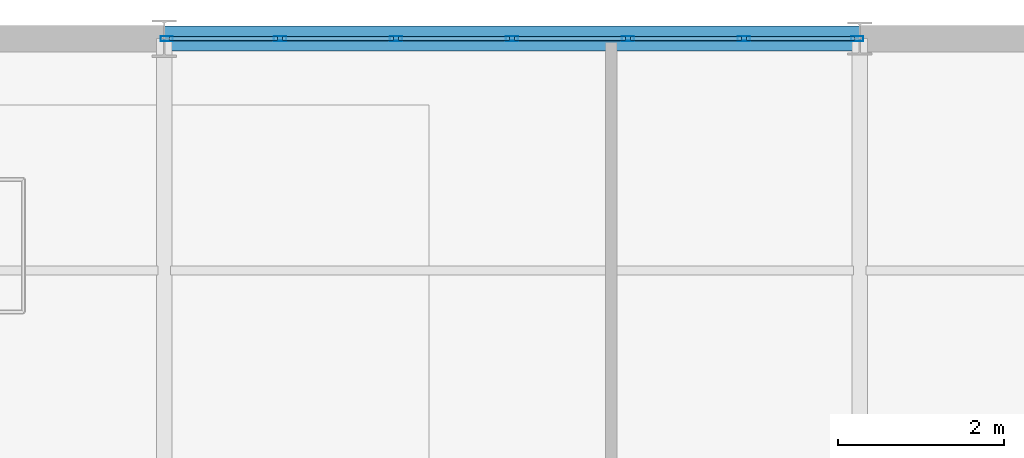
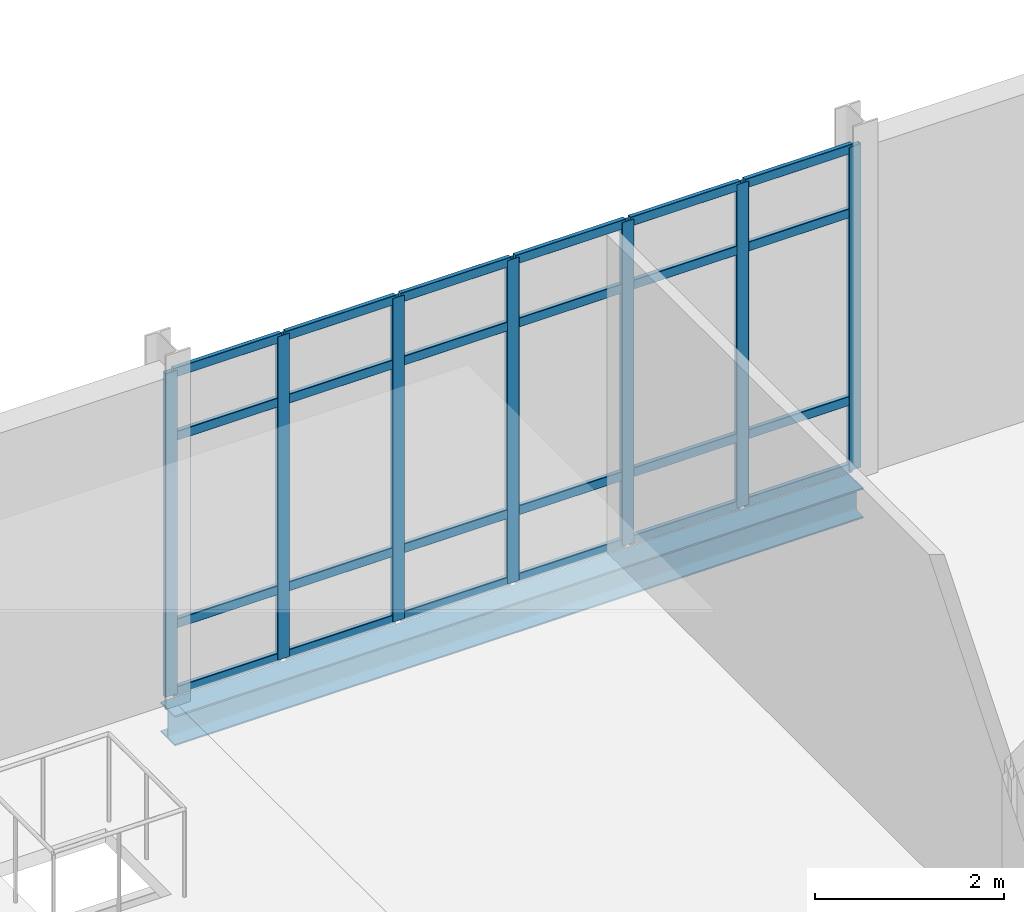
# One storey, part 18 of 28: 31 members, 1 beam, 1 element without a shape of its own.
"""IFC4 building model written with IfcOpenShell, lengths in metres."""

from ifc_helpers import new_model, si_unit, direction, frame, origin, origin_2d, place, context, subcontext, project, spatial, hollow_rectangle, i_section, extrude, material, layer, layer_set, material_profile, profile_set, type_object, element, aggregate, save


model = new_model("IFC4")

# Units and contexts
model_context = context("Model", 3, precision=1e-05, world=origin(), true_north=direction((0.0, 1.0)))
body_context = subcontext(model_context, "Body", "Model", "MODEL_VIEW")
ifc_project = project(units=[si_unit("LENGTHUNIT", "METRE"), si_unit("AREAUNIT", "SQUARE_METRE"), si_unit("VOLUMEUNIT", "CUBIC_METRE"), si_unit("PLANEANGLEUNIT", "RADIAN"), si_unit("MASSUNIT", "GRAM", prefix="KILO")], contexts=[model_context])

# Site, building, storey
site_placement = place(None, origin())
site = spatial("IfcSite", under=ifc_project, at=site_placement, CompositionType="ELEMENT")
building_placement = place(site_placement, origin())
building = spatial("IfcBuilding", under=site, at=building_placement, Name="Qalvenar Corner Mobility Hub", CompositionType="ELEMENT")
storey_placement = place(building_placement, frame((0.0, 0.0, 21.60009765625)))
storey = spatial("IfcBuildingStorey", under=building, at=storey_placement, Name="L05", CompositionType="ELEMENT", Elevation=21.60009765625)

# Beam
ifc_material_1 = material(Name="Steel S355", Category="steel")
ifc_material_profile_1 = material_profile(ifc_material_1, i_section(OverallWidth=0.300048828125, OverallDepth=0.389892578125, WebThickness=0.010986328125, FlangeThickness=0.01904296875, FilletRadius=0.027099609375, at=origin_2d()), Name="HEA400")
ifc_profile_set_1 = profile_set([ifc_material_profile_1], Name="Steel S355")
beam_type = type_object("IfcBeamType", Name="BM-SPN400", PredefinedType="SPANDREL", material=ifc_profile_set_1)
beam_placement = place(storey_placement, frame((16.800048828125, 42.0, -0.375), z_axis=(1.0, 0.0, 0.0), x_axis=(0.0, 1.0, 0.0)))
element("IfcBeam", 1, at=beam_placement, inside=storey, type_object=beam_type, Name="Primary Steel Girder GX-2972", PredefinedType="SPANDREL", context=body_context, shape_type="SweptSolid", body=[
    extrude(i_section(OverallWidth=0.300048828125, OverallDepth=0.389892578125, WebThickness=0.010986328125, FlangeThickness=0.01904296875, FilletRadius=0.027099609375, at=origin_2d()), origin(), (0.0, 0.0, 1.0), 8.39990234375),
])

# Curtain wall, members
ifc_material_2 = material(Name="Anodised Aluminium and Low-E Glazing", Category="aluminium")
ifc_layer = layer(ifc_material_2, 0.14990234375)
ifc_layer_set = layer_set([ifc_layer], Name="Anodised Aluminium and Low-E Glazing")
curtain_wall_type = type_object("IfcCurtainWallType", Name="CW-CIV-84X40", PredefinedType="NOTDEFINED", material=ifc_layer_set)
curtain_wall_placement = place(storey_placement, origin())
curtain_wall = element("IfcCurtainWall", 2, at=curtain_wall_placement, inside=storey, type_object=curtain_wall_type, Name="Glazed Curtain Wall CW-V3-L05-N2", PredefinedType="NOTDEFINED")
ifc_material_3 = material(Name="Anodised Aluminium 6063-T6", Category="aluminium")
ifc_material_profile_2 = material_profile(ifc_material_3, hollow_rectangle(XDim=0.06005859375, YDim=0.14990234375, WallThickness=0.00390625, InnerFilletRadius=0.00390625, OuterFilletRadius=0.008056640625, at=origin_2d()), Name="RHS150x60x4")
ifc_profile_set_2 = profile_set([ifc_material_profile_2], Name="Anodised Aluminium 6063-T6")
member_type_1 = type_object("IfcMemberType", Name="CW-MUL150", PredefinedType="MULLION", material=ifc_profile_set_2)
member_1_placement = place(storey_placement, frame((25.169921875, 42.0, 0.0), z_axis=(0.0, 0.0, 1.0), x_axis=(0.0, -1.0, 0.0)))
member_1 = element("IfcMember", 3, at=member_1_placement, type_object=member_type_1, Name="CW-05 mullion 1", PredefinedType="MULLION", context=body_context, shape_type="SweptSolid", body=[
    extrude(hollow_rectangle(XDim=0.06005859375, YDim=0.14990234375, WallThickness=0.00390625, InnerFilletRadius=0.00390625, OuterFilletRadius=0.008056640625, at=origin_2d()), origin(), (0.0, 0.0, 1.0), 4.169921875),
])
member_2_placement = place(storey_placement, frame((23.800048828125, 42.0, 0.0), z_axis=(0.0, 0.0, 1.0), x_axis=(0.0, -1.0, 0.0)))
member_2 = element("IfcMember", 4, at=member_2_placement, type_object=member_type_1, Name="CW-05 mullion 2", PredefinedType="MULLION", context=body_context, shape_type="SweptSolid", body=[
    extrude(hollow_rectangle(XDim=0.06005859375, YDim=0.14990234375, WallThickness=0.00390625, InnerFilletRadius=0.00390625, OuterFilletRadius=0.008056640625, at=origin_2d()), origin(), (0.0, 0.0, 1.0), 4.169921875),
])
member_3_placement = place(storey_placement, frame((22.39990234375, 42.0, 0.0), z_axis=(0.0, 0.0, 1.0), x_axis=(0.0, -1.0, 0.0)))
member_3 = element("IfcMember", 5, at=member_3_placement, type_object=member_type_1, Name="CW-05 mullion 3", PredefinedType="MULLION", context=body_context, shape_type="SweptSolid", body=[
    extrude(hollow_rectangle(XDim=0.06005859375, YDim=0.14990234375, WallThickness=0.00390625, InnerFilletRadius=0.00390625, OuterFilletRadius=0.008056640625, at=origin_2d()), origin(), (0.0, 0.0, 1.0), 4.169921875),
])
member_4_placement = place(storey_placement, frame((21.0, 42.0, 0.0), z_axis=(0.0, 0.0, 1.0), x_axis=(0.0, -1.0, 0.0)))
member_4 = element("IfcMember", 6, at=member_4_placement, type_object=member_type_1, Name="CW-05 mullion 4", PredefinedType="MULLION", context=body_context, shape_type="SweptSolid", body=[
    extrude(hollow_rectangle(XDim=0.06005859375, YDim=0.14990234375, WallThickness=0.00390625, InnerFilletRadius=0.00390625, OuterFilletRadius=0.008056640625, at=origin_2d()), origin(), (0.0, 0.0, 1.0), 4.169921875),
])
member_5_placement = place(storey_placement, frame((19.60009765625, 42.0, 0.0), z_axis=(0.0, 0.0, 1.0), x_axis=(0.0, -1.0, 0.0)))
member_5 = element("IfcMember", 7, at=member_5_placement, type_object=member_type_1, Name="CW-05 mullion 5", PredefinedType="MULLION", context=body_context, shape_type="SweptSolid", body=[
    extrude(hollow_rectangle(XDim=0.06005859375, YDim=0.14990234375, WallThickness=0.00390625, InnerFilletRadius=0.00390625, OuterFilletRadius=0.008056640625, at=origin_2d()), origin(), (0.0, 0.0, 1.0), 4.169921875),
])
member_6_placement = place(storey_placement, frame((18.199951171875, 42.0, 0.0), z_axis=(0.0, 0.0, 1.0), x_axis=(0.0, -1.0, 0.0)))
member_6 = element("IfcMember", 8, at=member_6_placement, type_object=member_type_1, Name="CW-05 mullion 6", PredefinedType="MULLION", context=body_context, shape_type="SweptSolid", body=[
    extrude(hollow_rectangle(XDim=0.06005859375, YDim=0.14990234375, WallThickness=0.00390625, InnerFilletRadius=0.00390625, OuterFilletRadius=0.008056640625, at=origin_2d()), origin(), (0.0, 0.0, 1.0), 4.169921875),
])
member_7_placement = place(storey_placement, frame((16.830078125, 42.0, 0.0), z_axis=(0.0, 0.0, 1.0), x_axis=(0.0, -1.0, 0.0)))
member_7 = element("IfcMember", 9, at=member_7_placement, type_object=member_type_1, Name="CW-05 mullion 7", PredefinedType="MULLION", context=body_context, shape_type="SweptSolid", body=[
    extrude(hollow_rectangle(XDim=0.06005859375, YDim=0.14990234375, WallThickness=0.00390625, InnerFilletRadius=0.00390625, OuterFilletRadius=0.008056640625, at=origin_2d()), origin(), (0.0, 0.0, 1.0), 4.169921875),
])
ifc_material_profile_3 = material_profile(ifc_material_3, hollow_rectangle(XDim=0.054931640625, YDim=0.1201171875, WallThickness=0.00341796875, InnerFilletRadius=0.00341796875, OuterFilletRadius=0.007080078125, at=origin_2d()), Name="RHS120x55x3.5")
ifc_profile_set_3 = profile_set([ifc_material_profile_3], Name="Anodised Aluminium 6063-T6")
member_type_2 = type_object("IfcMemberType", Name="CW-TRN120", PredefinedType="USERDEFINED", material=ifc_profile_set_3)
member_8_placement = place(storey_placement, frame((25.139892578125, 42.0, 0.02734375), z_axis=(-1.0, 0.0, 0.0), x_axis=(0.0, -1.0, 0.0)))
member_8 = element("IfcMember", 10, at=member_8_placement, type_object=member_type_2, Name="CW-05 transom 1.1", ObjectType="TRANSOM", PredefinedType="USERDEFINED", context=body_context, shape_type="SweptSolid", body=[
    extrude(hollow_rectangle(XDim=0.054931640625, YDim=0.1201171875, WallThickness=0.00341796875, InnerFilletRadius=0.00341796875, OuterFilletRadius=0.007080078125, at=origin_2d()), origin(), (0.0, 0.0, 1.0), 1.309814453125),
])
member_9_placement = place(storey_placement, frame((25.139892578125, 42.0, 0.89990234375), z_axis=(-1.0, 0.0, 0.0), x_axis=(0.0, -1.0, 0.0)))
member_9 = element("IfcMember", 11, at=member_9_placement, type_object=member_type_2, Name="CW-05 transom 1.2", ObjectType="TRANSOM", PredefinedType="USERDEFINED", context=body_context, shape_type="SweptSolid", body=[
    extrude(hollow_rectangle(XDim=0.054931640625, YDim=0.1201171875, WallThickness=0.00341796875, InnerFilletRadius=0.00341796875, OuterFilletRadius=0.007080078125, at=origin_2d()), origin(), (0.0, 0.0, 1.0), 1.309814453125),
])
member_10_placement = place(storey_placement, frame((25.139892578125, 42.0, 3.31982421875), z_axis=(-1.0, 0.0, 0.0), x_axis=(0.0, -1.0, 0.0)))
member_10 = element("IfcMember", 12, at=member_10_placement, type_object=member_type_2, Name="CW-05 transom 1.3", ObjectType="TRANSOM", PredefinedType="USERDEFINED", context=body_context, shape_type="SweptSolid", body=[
    extrude(hollow_rectangle(XDim=0.054931640625, YDim=0.1201171875, WallThickness=0.00341796875, InnerFilletRadius=0.00341796875, OuterFilletRadius=0.007080078125, at=origin_2d()), origin(), (0.0, 0.0, 1.0), 1.309814453125),
])
member_11_placement = place(storey_placement, frame((25.139892578125, 42.0, 4.142333984375), z_axis=(-1.0, 0.0, 0.0), x_axis=(0.0, -1.0, 0.0)))
member_11 = element("IfcMember", 13, at=member_11_placement, type_object=member_type_2, Name="CW-05 transom 1.4", ObjectType="TRANSOM", PredefinedType="USERDEFINED", context=body_context, shape_type="SweptSolid", body=[
    extrude(hollow_rectangle(XDim=0.054931640625, YDim=0.1201171875, WallThickness=0.00341796875, InnerFilletRadius=0.00341796875, OuterFilletRadius=0.007080078125, at=origin_2d()), origin(), (0.0, 0.0, 1.0), 1.309814453125),
])
member_12_placement = place(storey_placement, frame((23.77001953125, 42.0, 0.02734375), z_axis=(-1.0, 0.0, 0.0), x_axis=(0.0, -1.0, 0.0)))
member_12 = element("IfcMember", 14, at=member_12_placement, type_object=member_type_2, Name="CW-05 transom 2.1", ObjectType="TRANSOM", PredefinedType="USERDEFINED", context=body_context, shape_type="SweptSolid", body=[
    extrude(hollow_rectangle(XDim=0.054931640625, YDim=0.1201171875, WallThickness=0.00341796875, InnerFilletRadius=0.00341796875, OuterFilletRadius=0.007080078125, at=origin_2d()), origin(), (0.0, 0.0, 1.0), 1.340087890625),
])
member_13_placement = place(storey_placement, frame((23.77001953125, 42.0, 0.89990234375), z_axis=(-1.0, 0.0, 0.0), x_axis=(0.0, -1.0, 0.0)))
member_13 = element("IfcMember", 15, at=member_13_placement, type_object=member_type_2, Name="CW-05 transom 2.2", ObjectType="TRANSOM", PredefinedType="USERDEFINED", context=body_context, shape_type="SweptSolid", body=[
    extrude(hollow_rectangle(XDim=0.054931640625, YDim=0.1201171875, WallThickness=0.00341796875, InnerFilletRadius=0.00341796875, OuterFilletRadius=0.007080078125, at=origin_2d()), origin(), (0.0, 0.0, 1.0), 1.340087890625),
])
member_14_placement = place(storey_placement, frame((23.77001953125, 42.0, 3.31982421875), z_axis=(-1.0, 0.0, 0.0), x_axis=(0.0, -1.0, 0.0)))
member_14 = element("IfcMember", 16, at=member_14_placement, type_object=member_type_2, Name="CW-05 transom 2.3", ObjectType="TRANSOM", PredefinedType="USERDEFINED", context=body_context, shape_type="SweptSolid", body=[
    extrude(hollow_rectangle(XDim=0.054931640625, YDim=0.1201171875, WallThickness=0.00341796875, InnerFilletRadius=0.00341796875, OuterFilletRadius=0.007080078125, at=origin_2d()), origin(), (0.0, 0.0, 1.0), 1.340087890625),
])
member_15_placement = place(storey_placement, frame((23.77001953125, 42.0, 4.142333984375), z_axis=(-1.0, 0.0, 0.0), x_axis=(0.0, -1.0, 0.0)))
member_15 = element("IfcMember", 17, at=member_15_placement, type_object=member_type_2, Name="CW-05 transom 2.4", ObjectType="TRANSOM", PredefinedType="USERDEFINED", context=body_context, shape_type="SweptSolid", body=[
    extrude(hollow_rectangle(XDim=0.054931640625, YDim=0.1201171875, WallThickness=0.00341796875, InnerFilletRadius=0.00341796875, OuterFilletRadius=0.007080078125, at=origin_2d()), origin(), (0.0, 0.0, 1.0), 1.340087890625),
])
member_16_placement = place(storey_placement, frame((22.3701171875, 42.0, 0.02734375), z_axis=(-1.0, 0.0, 0.0), x_axis=(0.0, -1.0, 0.0)))
member_16 = element("IfcMember", 18, at=member_16_placement, type_object=member_type_2, Name="CW-05 transom 3.1", ObjectType="TRANSOM", PredefinedType="USERDEFINED", context=body_context, shape_type="SweptSolid", body=[
    extrude(hollow_rectangle(XDim=0.054931640625, YDim=0.1201171875, WallThickness=0.00341796875, InnerFilletRadius=0.00341796875, OuterFilletRadius=0.007080078125, at=origin_2d()), origin(), (0.0, 0.0, 1.0), 1.340087890625),
])
member_17_placement = place(storey_placement, frame((22.3701171875, 42.0, 0.89990234375), z_axis=(-1.0, 0.0, 0.0), x_axis=(0.0, -1.0, 0.0)))
member_17 = element("IfcMember", 19, at=member_17_placement, type_object=member_type_2, Name="CW-05 transom 3.2", ObjectType="TRANSOM", PredefinedType="USERDEFINED", context=body_context, shape_type="SweptSolid", body=[
    extrude(hollow_rectangle(XDim=0.054931640625, YDim=0.1201171875, WallThickness=0.00341796875, InnerFilletRadius=0.00341796875, OuterFilletRadius=0.007080078125, at=origin_2d()), origin(), (0.0, 0.0, 1.0), 1.340087890625),
])
member_18_placement = place(storey_placement, frame((22.3701171875, 42.0, 3.31982421875), z_axis=(-1.0, 0.0, 0.0), x_axis=(0.0, -1.0, 0.0)))
member_18 = element("IfcMember", 20, at=member_18_placement, type_object=member_type_2, Name="CW-05 transom 3.3", ObjectType="TRANSOM", PredefinedType="USERDEFINED", context=body_context, shape_type="SweptSolid", body=[
    extrude(hollow_rectangle(XDim=0.054931640625, YDim=0.1201171875, WallThickness=0.00341796875, InnerFilletRadius=0.00341796875, OuterFilletRadius=0.007080078125, at=origin_2d()), origin(), (0.0, 0.0, 1.0), 1.340087890625),
])
member_19_placement = place(storey_placement, frame((22.3701171875, 42.0, 4.142333984375), z_axis=(-1.0, 0.0, 0.0), x_axis=(0.0, -1.0, 0.0)))
member_19 = element("IfcMember", 21, at=member_19_placement, type_object=member_type_2, Name="CW-05 transom 3.4", ObjectType="TRANSOM", PredefinedType="USERDEFINED", context=body_context, shape_type="SweptSolid", body=[
    extrude(hollow_rectangle(XDim=0.054931640625, YDim=0.1201171875, WallThickness=0.00341796875, InnerFilletRadius=0.00341796875, OuterFilletRadius=0.007080078125, at=origin_2d()), origin(), (0.0, 0.0, 1.0), 1.340087890625),
])
member_20_placement = place(storey_placement, frame((20.969970703125, 42.0, 0.02734375), z_axis=(-1.0, 0.0, 0.0), x_axis=(0.0, -1.0, 0.0)))
member_20 = element("IfcMember", 22, at=member_20_placement, type_object=member_type_2, Name="CW-05 transom 4.1", ObjectType="TRANSOM", PredefinedType="USERDEFINED", context=body_context, shape_type="SweptSolid", body=[
    extrude(hollow_rectangle(XDim=0.054931640625, YDim=0.1201171875, WallThickness=0.00341796875, InnerFilletRadius=0.00341796875, OuterFilletRadius=0.007080078125, at=origin_2d()), origin(), (0.0, 0.0, 1.0), 1.340087890625),
])
member_21_placement = place(storey_placement, frame((20.969970703125, 42.0, 0.89990234375), z_axis=(-1.0, 0.0, 0.0), x_axis=(0.0, -1.0, 0.0)))
member_21 = element("IfcMember", 23, at=member_21_placement, type_object=member_type_2, Name="CW-05 transom 4.2", ObjectType="TRANSOM", PredefinedType="USERDEFINED", context=body_context, shape_type="SweptSolid", body=[
    extrude(hollow_rectangle(XDim=0.054931640625, YDim=0.1201171875, WallThickness=0.00341796875, InnerFilletRadius=0.00341796875, OuterFilletRadius=0.007080078125, at=origin_2d()), origin(), (0.0, 0.0, 1.0), 1.340087890625),
])
member_22_placement = place(storey_placement, frame((20.969970703125, 42.0, 3.31982421875), z_axis=(-1.0, 0.0, 0.0), x_axis=(0.0, -1.0, 0.0)))
member_22 = element("IfcMember", 24, at=member_22_placement, type_object=member_type_2, Name="CW-05 transom 4.3", ObjectType="TRANSOM", PredefinedType="USERDEFINED", context=body_context, shape_type="SweptSolid", body=[
    extrude(hollow_rectangle(XDim=0.054931640625, YDim=0.1201171875, WallThickness=0.00341796875, InnerFilletRadius=0.00341796875, OuterFilletRadius=0.007080078125, at=origin_2d()), origin(), (0.0, 0.0, 1.0), 1.340087890625),
])
member_23_placement = place(storey_placement, frame((20.969970703125, 42.0, 4.142333984375), z_axis=(-1.0, 0.0, 0.0), x_axis=(0.0, -1.0, 0.0)))
member_23 = element("IfcMember", 25, at=member_23_placement, type_object=member_type_2, Name="CW-05 transom 4.4", ObjectType="TRANSOM", PredefinedType="USERDEFINED", context=body_context, shape_type="SweptSolid", body=[
    extrude(hollow_rectangle(XDim=0.054931640625, YDim=0.1201171875, WallThickness=0.00341796875, InnerFilletRadius=0.00341796875, OuterFilletRadius=0.007080078125, at=origin_2d()), origin(), (0.0, 0.0, 1.0), 1.340087890625),
])
member_24_placement = place(storey_placement, frame((19.570068359375, 42.0, 0.02734375), z_axis=(-1.0, 0.0, 0.0), x_axis=(0.0, -1.0, 0.0)))
member_24 = element("IfcMember", 26, at=member_24_placement, type_object=member_type_2, Name="CW-05 transom 5.1", ObjectType="TRANSOM", PredefinedType="USERDEFINED", context=body_context, shape_type="SweptSolid", body=[
    extrude(hollow_rectangle(XDim=0.054931640625, YDim=0.1201171875, WallThickness=0.00341796875, InnerFilletRadius=0.00341796875, OuterFilletRadius=0.007080078125, at=origin_2d()), origin(), (0.0, 0.0, 1.0), 1.340087890625),
])
member_25_placement = place(storey_placement, frame((19.570068359375, 42.0, 0.89990234375), z_axis=(-1.0, 0.0, 0.0), x_axis=(0.0, -1.0, 0.0)))
member_25 = element("IfcMember", 27, at=member_25_placement, type_object=member_type_2, Name="CW-05 transom 5.2", ObjectType="TRANSOM", PredefinedType="USERDEFINED", context=body_context, shape_type="SweptSolid", body=[
    extrude(hollow_rectangle(XDim=0.054931640625, YDim=0.1201171875, WallThickness=0.00341796875, InnerFilletRadius=0.00341796875, OuterFilletRadius=0.007080078125, at=origin_2d()), origin(), (0.0, 0.0, 1.0), 1.340087890625),
])
member_26_placement = place(storey_placement, frame((19.570068359375, 42.0, 3.31982421875), z_axis=(-1.0, 0.0, 0.0), x_axis=(0.0, -1.0, 0.0)))
member_26 = element("IfcMember", 28, at=member_26_placement, type_object=member_type_2, Name="CW-05 transom 5.3", ObjectType="TRANSOM", PredefinedType="USERDEFINED", context=body_context, shape_type="SweptSolid", body=[
    extrude(hollow_rectangle(XDim=0.054931640625, YDim=0.1201171875, WallThickness=0.00341796875, InnerFilletRadius=0.00341796875, OuterFilletRadius=0.007080078125, at=origin_2d()), origin(), (0.0, 0.0, 1.0), 1.340087890625),
])
member_27_placement = place(storey_placement, frame((19.570068359375, 42.0, 4.142333984375), z_axis=(-1.0, 0.0, 0.0), x_axis=(0.0, -1.0, 0.0)))
member_27 = element("IfcMember", 29, at=member_27_placement, type_object=member_type_2, Name="CW-05 transom 5.4", ObjectType="TRANSOM", PredefinedType="USERDEFINED", context=body_context, shape_type="SweptSolid", body=[
    extrude(hollow_rectangle(XDim=0.054931640625, YDim=0.1201171875, WallThickness=0.00341796875, InnerFilletRadius=0.00341796875, OuterFilletRadius=0.007080078125, at=origin_2d()), origin(), (0.0, 0.0, 1.0), 1.340087890625),
])
member_28_placement = place(storey_placement, frame((18.169921875, 42.0, 0.02734375), z_axis=(-1.0, 0.0, 0.0), x_axis=(0.0, -1.0, 0.0)))
member_28 = element("IfcMember", 30, at=member_28_placement, type_object=member_type_2, Name="CW-05 transom 6.1", ObjectType="TRANSOM", PredefinedType="USERDEFINED", context=body_context, shape_type="SweptSolid", body=[
    extrude(hollow_rectangle(XDim=0.054931640625, YDim=0.1201171875, WallThickness=0.00341796875, InnerFilletRadius=0.00341796875, OuterFilletRadius=0.007080078125, at=origin_2d()), origin(), (0.0, 0.0, 1.0), 1.309814453125),
])
member_29_placement = place(storey_placement, frame((18.169921875, 42.0, 0.89990234375), z_axis=(-1.0, 0.0, 0.0), x_axis=(0.0, -1.0, 0.0)))
member_29 = element("IfcMember", 31, at=member_29_placement, type_object=member_type_2, Name="CW-05 transom 6.2", ObjectType="TRANSOM", PredefinedType="USERDEFINED", context=body_context, shape_type="SweptSolid", body=[
    extrude(hollow_rectangle(XDim=0.054931640625, YDim=0.1201171875, WallThickness=0.00341796875, InnerFilletRadius=0.00341796875, OuterFilletRadius=0.007080078125, at=origin_2d()), origin(), (0.0, 0.0, 1.0), 1.309814453125),
])
member_30_placement = place(storey_placement, frame((18.169921875, 42.0, 3.31982421875), z_axis=(-1.0, 0.0, 0.0), x_axis=(0.0, -1.0, 0.0)))
member_30 = element("IfcMember", 32, at=member_30_placement, type_object=member_type_2, Name="CW-05 transom 6.3", ObjectType="TRANSOM", PredefinedType="USERDEFINED", context=body_context, shape_type="SweptSolid", body=[
    extrude(hollow_rectangle(XDim=0.054931640625, YDim=0.1201171875, WallThickness=0.00341796875, InnerFilletRadius=0.00341796875, OuterFilletRadius=0.007080078125, at=origin_2d()), origin(), (0.0, 0.0, 1.0), 1.309814453125),
])
member_31_placement = place(storey_placement, frame((18.169921875, 42.0, 4.142333984375), z_axis=(-1.0, 0.0, 0.0), x_axis=(0.0, -1.0, 0.0)))
member_31 = element("IfcMember", 33, at=member_31_placement, type_object=member_type_2, Name="CW-05 transom 6.4", ObjectType="TRANSOM", PredefinedType="USERDEFINED", context=body_context, shape_type="SweptSolid", body=[
    extrude(hollow_rectangle(XDim=0.054931640625, YDim=0.1201171875, WallThickness=0.00341796875, InnerFilletRadius=0.00341796875, OuterFilletRadius=0.007080078125, at=origin_2d()), origin(), (0.0, 0.0, 1.0), 1.309814453125),
])
aggregate(curtain_wall, [member_1, member_2, member_3, member_4, member_5, member_6, member_7, member_8, member_9, member_10, member_11, member_12, member_13, member_14, member_15, member_16, member_17, member_18, member_19, member_20, member_21, member_22, member_23, member_24, member_25, member_26, member_27, member_28, member_29, member_30, member_31])

save(model, "model.ifc")
